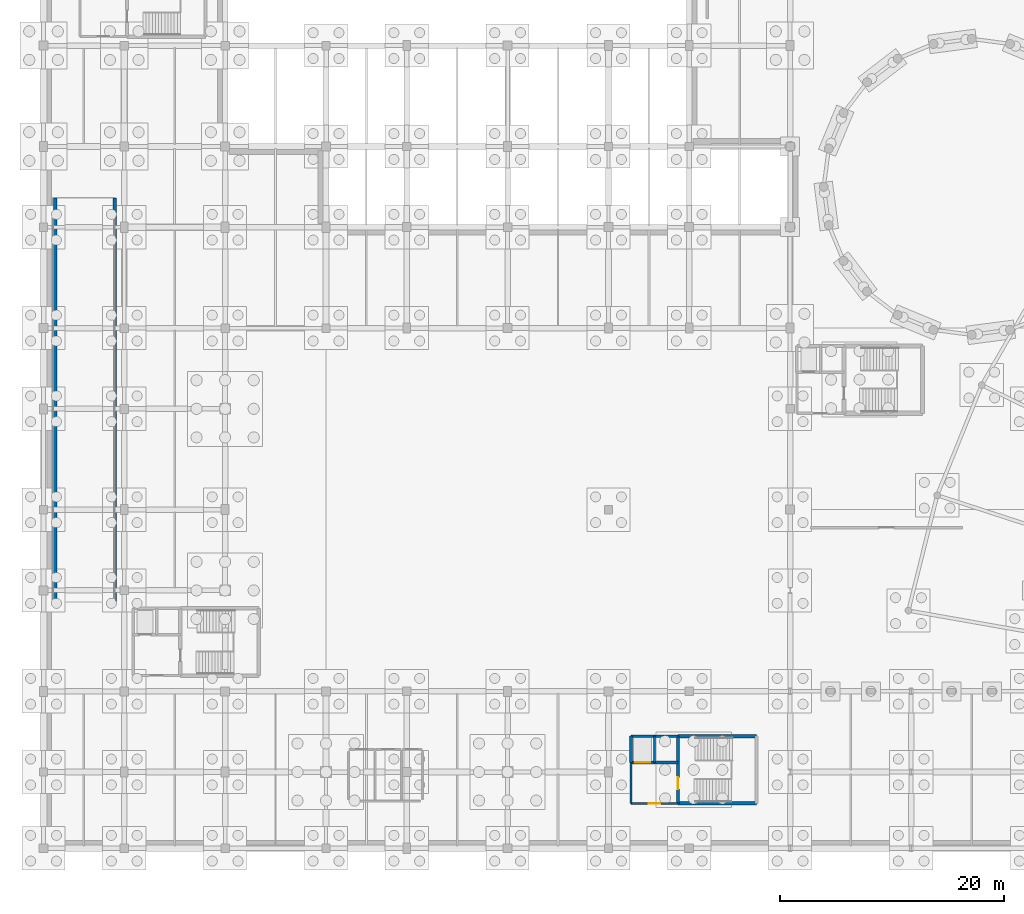
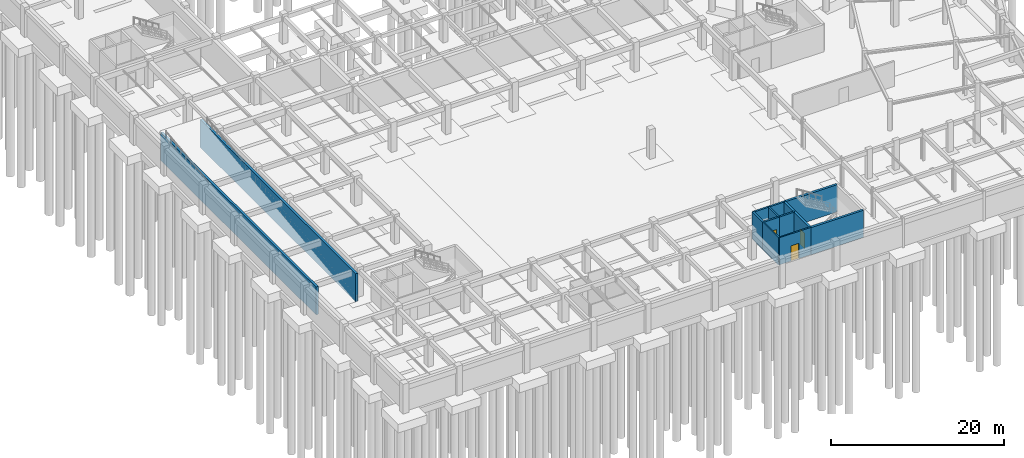
# One storey, part 31 of 42: 12 walls, 3 doors, 3 openings.
"""IFC4 building model written with IfcOpenShell, lengths in metres."""

import ifcopenshell
import ifcopenshell.guid

model = None  # the IFC model being written
_history = None  # IfcOwnerHistory: only IFC2X3 demands one
_inside = {}  # id of a spatial element -> (the spatial element, [elements in it])
_under = {}  # id of a project, library or spatial element -> (it, [spatial elements below it])
_declared = {}  # id of a project -> (the project, [libraries it declares])
_typed = {}  # id of a type object -> (the type object, [elements of that type])
_made_of = {}  # id of a material, layer set ... -> (it, [elements and type objects made of it])


def new_model(schema):
    """Start an empty IFC model of exactly this schema.

    Asked for "IFC4X3", IfcOpenShell would pick the latest addendum, in which some entities
    have other attributes; the version numbers below select the first issue.
    IFC2X3 requires an IfcOwnerHistory on every rooted entity: one is made here for all.
    """
    global model, _history
    if schema == "IFC4X3":
        model = ifcopenshell.file(schema_version=(4, 3, 0, 0))
    else:
        model = ifcopenshell.file(schema=schema)
    _inside.clear()
    _under.clear()
    _declared.clear()
    _typed.clear()
    _made_of.clear()
    _history = None
    if model.schema == "IFC2X3":
        org = make("IfcOrganization", Name="unknown")
        user = make(
            "IfcPersonAndOrganization",
            ThePerson=make("IfcPerson", FamilyName="unknown"),
            TheOrganization=org,
        )
        app = make(
            "IfcApplication",
            ApplicationDeveloper=org,
            Version="unknown",
            ApplicationFullName="unknown",
            ApplicationIdentifier="unknown",
        )
        _history = make(
            "IfcOwnerHistory",
            OwningUser=user,
            OwningApplication=app,
            ChangeAction="ADDED",
            CreationDate=0,
        )
    return model


def make(cls, **values):
    """One entity of the class cls with the attributes given. An attribute that is None is left unset."""
    return model.create_entity(
        cls, **{name: value for name, value in values.items() if value is not None}
    )


def rooted(cls, **values):
    """An entity with a GlobalId (a new one), such as an element, a storey or a relation."""
    return make(cls, GlobalId=ifcopenshell.guid.new(), OwnerHistory=_history, **values)


def si_unit(unit_type, name, prefix=None):
    """IfcSIUnit, for example si_unit("LENGTHUNIT", "METRE", prefix="MILLI")."""
    return make("IfcSIUnit", UnitType=unit_type, Prefix=prefix, Name=name)


def assignment(units):
    """IfcUnitAssignment: the units of a project."""
    return None if units is None else make("IfcUnitAssignment", Units=units)


def point(xyz):
    """IfcCartesianPoint."""
    return None if xyz is None else make("IfcCartesianPoint", Coordinates=xyz)


def direction(xyz):
    """IfcDirection."""
    return None if xyz is None else make("IfcDirection", DirectionRatios=xyz)


def frame(location, z_axis=None, x_axis=None):
    """IfcAxis2Placement3D, a coordinate frame: its origin and axes. An axis left out is left unset."""
    return make(
        "IfcAxis2Placement3D",
        Location=point(location),
        Axis=direction(z_axis),
        RefDirection=direction(x_axis),
    )


def frame_2d(location, x_axis=None):
    """IfcAxis2Placement2D, a coordinate frame in the plane: its origin and x axis."""
    return make(
        "IfcAxis2Placement2D", Location=point(location), RefDirection=direction(x_axis)
    )


def origin():
    """The frame at (0, 0, 0) with its axes left unset."""
    return frame((0.0, 0.0, 0.0))


def place(relative_to, where):
    """IfcLocalPlacement: puts the frame where relative to a parent placement (None: the world)."""
    return make(
        "IfcLocalPlacement", PlacementRelTo=relative_to, RelativePlacement=where
    )


def context(
    kind, dimensions, precision=None, world=None, true_north=None, identifier=None
):
    """IfcGeometricRepresentationContext, for example the 3D "Model" context."""
    return make(
        "IfcGeometricRepresentationContext",
        ContextIdentifier=identifier,
        ContextType=kind,
        CoordinateSpaceDimension=dimensions,
        Precision=precision,
        WorldCoordinateSystem=world,
        TrueNorth=true_north,
    )


def subcontext(parent, identifier, kind, view, scale=None):
    """IfcGeometricRepresentationSubContext, for example "Body" below "Model"."""
    return make(
        "IfcGeometricRepresentationSubContext",
        ContextIdentifier=identifier,
        ContextType=kind,
        ParentContext=parent,
        TargetScale=scale,
        TargetView=view,
    )


def project(units=None, contexts=None):
    """IfcProject with its units and contexts."""
    return rooted(
        "IfcProject",
        Name="project",
        RepresentationContexts=contexts,
        UnitsInContext=assignment(units),
    )


def spatial(cls, under=None, at=None, **own):
    """A site, building, storey or space (cls), placed at a placement, below another one or the project."""
    s = rooted(cls, ObjectPlacement=at, **own)
    if under is not None:
        _under.setdefault(under.id(), (under, []))[1].append(s)
    return s


def profile(cls, at=None, kind="AREA", **sizes):
    """A parametric profile (cls). Its sizes go by their IFC names, for example OverallWidth=200.0."""
    return make(cls, ProfileType=kind, Position=at, **sizes)


def rectangle(**sizes):
    """IfcRectangleProfileDef."""
    return profile("IfcRectangleProfileDef", **sizes)


def extrude(swept, where, along, depth):
    """IfcExtrudedAreaSolid: the profile swept, set in the frame where, extruded along a direction by depth."""
    return make(
        "IfcExtrudedAreaSolid",
        SweptArea=swept,
        Position=where,
        ExtrudedDirection=direction(along),
        Depth=depth,
    )


def shape(context_of_items, identifier, shape_type, items):
    """IfcShapeRepresentation: the items that make up one representation, for example the "Body"."""
    return make(
        "IfcShapeRepresentation",
        ContextOfItems=context_of_items,
        RepresentationIdentifier=identifier,
        RepresentationType=shape_type,
        Items=items,
    )


def material(Name=None, Category=None):
    """IfcMaterial."""
    return make("IfcMaterial", Name=Name, Category=Category)


def layer(
    of_material, thickness, ventilated=None, Name=None, Category=None, Priority=None
):
    """IfcMaterialLayer: one layer of a wall or slab, of a material (None: an air gap)."""
    return make(
        "IfcMaterialLayer",
        Material=of_material,
        LayerThickness=thickness,
        IsVentilated=ventilated,
        Name=Name,
        Category=Category,
        Priority=Priority,
    )


def layer_set(layers, Name=None):
    """IfcMaterialLayerSet."""
    return make("IfcMaterialLayerSet", MaterialLayers=layers, LayerSetName=Name)


def made_of(thing, what):
    """Note that an element or type object is made of a material, layer set ...; save() writes the relation."""
    if what is not None:
        _made_of.setdefault(what.id(), (what, []))[1].append(thing)
    return thing


def type_object(cls, material=None, **own):
    """A type object (cls), such as IfcWallType, which elements share."""
    return made_of(rooted(cls, **own), material)


def element(
    cls,
    number,
    at=None,
    inside=None,
    cuts=None,
    type_object=None,
    material=None,
    context=None,
    identifier="Body",
    shape_type=None,
    held_by="IfcProductDefinitionShape",
    body=None,
    shapes=None,
    **own,
):
    """One element of the class cls, such as IfcWall. Its Tag is "e" and its number.

    at: its placement. inside: the storey or other place that contains it. cuts: it is an
    opening in that element (IfcRelVoidsElement). A single representation is given by context,
    identifier, shape_type and body (its items); several are given by shapes. held_by: the class
    of the entity that holds the representations. save() writes the other relations.
    """
    e = rooted(cls, Tag="e%d" % number, ObjectPlacement=at, **own)
    if body is not None:
        shapes = [shape(context, identifier, shape_type, body)]
    if shapes is not None:
        e.Representation = make(held_by, Representations=shapes)
    if inside is not None:
        _inside.setdefault(inside.id(), (inside, []))[1].append(e)
    if cuts is not None:
        rooted(
            "IfcRelVoidsElement", RelatingBuildingElement=cuts, RelatedOpeningElement=e
        )
    if type_object is not None:
        _typed.setdefault(type_object.id(), (type_object, []))[1].append(e)
    return made_of(e, material)


def fill(opening, filler):
    """IfcRelFillsElement: the door or window that sits in an opening."""
    return rooted(
        "IfcRelFillsElement",
        RelatingOpeningElement=opening,
        RelatedBuildingElement=filler,
    )


def aggregate(whole, parts):
    """IfcRelAggregates: a whole, such as a stair, and the parts it consists of."""
    return rooted("IfcRelAggregates", RelatingObject=whole, RelatedObjects=parts)


def save(model, path):
    """Write the relations noted so far, then the file.

    IfcRelAggregates (storeys below a building ...), IfcRelContainedInSpatialStructure (elements
    in a storey), IfcRelDefinesByType, IfcRelAssociatesMaterial and IfcRelDeclares: one each for
    every whole, place, type object, material and project.
    """
    for whole, parts in _under.values():
        aggregate(whole, parts)
    for where, things in _inside.values():
        rooted(
            "IfcRelContainedInSpatialStructure",
            RelatedElements=things,
            RelatingStructure=where,
        )
    for kind, things in _typed.values():
        rooted("IfcRelDefinesByType", RelatedObjects=things, RelatingType=kind)
    for what, things in _made_of.values():
        rooted("IfcRelAssociatesMaterial", RelatedObjects=things, RelatingMaterial=what)
    for by, libraries in _declared.values():
        rooted("IfcRelDeclares", RelatingContext=by, RelatedDefinitions=libraries)
    model.write(path)


model = new_model("IFC4")

# Units and contexts
model_context = context("Model", 3, precision=1e-05, world=origin(), true_north=direction((0.0, 1.0)))
body_context = subcontext(model_context, "Body", "Model", "MODEL_VIEW")
ifc_project = project(units=[si_unit("LENGTHUNIT", "METRE"), si_unit("AREAUNIT", "SQUARE_METRE"), si_unit("VOLUMEUNIT", "CUBIC_METRE"), si_unit("PLANEANGLEUNIT", "RADIAN"), si_unit("MASSUNIT", "GRAM", prefix="KILO")], contexts=[model_context])

# Site, building, storey
site_placement = place(None, origin())
site = spatial("IfcSite", under=ifc_project, at=site_placement, CompositionType="ELEMENT")
building_placement = place(site_placement, origin())
building = spatial("IfcBuilding", under=site, at=building_placement, Name="Clarverna Civic Hall", CompositionType="ELEMENT")
storey_placement = place(building_placement, frame((0.0, 0.0, -4.199951171875)))
storey = spatial("IfcBuildingStorey", under=building, at=storey_placement, Name="B01", CompositionType="ELEMENT", Elevation=-4.199951171875)

# Wall
ifc_material_1 = material(Name="Acoustic Gypsum Plasterboard on Twin Frame", Category="gypsum")
ifc_layer_1 = layer(ifc_material_1, 0.18994140625)
ifc_layer_set_1 = layer_set([ifc_layer_1], Name="Acoustic Gypsum Plasterboard on Twin Frame")
wall_type_1 = type_object("IfcWallType", Name="PW-06", PredefinedType="PARTITIONING", material=ifc_layer_set_1)
wall_1_placement = place(storey_placement, frame((52.39990234375, 4.0, 0.0), z_axis=(0.0, 0.0, 1.0), x_axis=(0.0, 1.0, 0.0)))
element("IfcWall", 1, at=wall_1_placement, inside=storey, type_object=wall_type_1, Name="PW-06-069", PredefinedType="PARTITIONING", context=body_context, shape_type="SweptSolid", body=[
    extrude(rectangle(XDim=3.64990234375, YDim=0.18994140625, at=frame_2d((1.824951171875, 0.0))), origin(), (0.0, 0.0, 1.0), 3.83984375),
])

# Wall, opening, door
wall_2_placement = place(storey_placement, frame((52.39990234375, 4.0, 0.0), z_axis=(0.0, 0.0, 1.0), x_axis=(1.0, 0.0, 0.0)))
wall_2 = element("IfcWall", 2, at=wall_2_placement, inside=storey, type_object=wall_type_1, Name="PW-06-070", PredefinedType="PARTITIONING", context=body_context, shape_type="SweptSolid", body=[
    extrude(rectangle(XDim=4.2001953125, YDim=0.18994140625, at=frame_2d((2.10009765625, 0.0))), origin(), (0.0, 0.0, 1.0), 3.83984375),
])
opening_1_placement = place(wall_2_placement, frame((1.574951171875, 0.0, 0.0)))
opening_1 = element("IfcOpeningElement", 3, at=opening_1_placement, cuts=wall_2, Name="Opening FD-02", PredefinedType="OPENING", context=body_context, shape_type="SweptSolid", body=[
    extrude(rectangle(XDim=1.050048828125, YDim=2.14990234375, at=frame_2d((0.52490234375, 1.074951171875))), frame((0.0, 0.10498046875, 0.0), z_axis=(0.0, -1.0, 0.0), x_axis=(1.0, 0.0, 0.0)), (0.0, 0.0, 1.0), 0.2099609375),
])
ifc_material_2 = material(Name="Acoustic Timber-Faced Fire Door", Category="wood")
door_type_1 = type_object("IfcDoorType", Name="FD-02", OperationType="NOTDEFINED", PredefinedType="DOOR", material=ifc_material_2)
door_1_placement = place(opening_1_placement, origin())
door_1 = element("IfcDoor", 4, at=door_1_placement, inside=storey, type_object=door_type_1, Name="FD-02-065", OperationType="SINGLE_SWING_RIGHT", OverallHeight=2.14990234375, OverallWidth=1.050048828125, PredefinedType="DOOR", context=body_context, shape_type="SweptSolid", body=[
    extrude(rectangle(XDim=1.050048828125, YDim=2.14990234375, at=frame_2d((0.52490234375, 1.074951171875))), frame((0.0, 0.02490234375, 0.0), z_axis=(0.0, -1.0, 0.0), x_axis=(1.0, 0.0, 0.0)), (0.0, 0.0, 1.0), 0.050048828125),
])
fill(opening_1, door_1)

ifc_material_3 = material(Name="Concrete C35/45", Category="concrete")
ifc_layer_2 = layer(ifc_material_3, 0.300048828125)
ifc_layer_set_2 = layer_set([ifc_layer_2], Name="Concrete C35/45")
wall_type_2 = type_object("IfcWallType", Name="SW-03", PredefinedType="SHEAR", material=ifc_layer_set_2)
wall_3_placement = place(storey_placement, frame((56.60009765625, 4.0, 0.0), z_axis=(0.0, 0.0, 1.0), x_axis=(0.0, 1.0, 0.0)))
wall_3 = element("IfcWall", 5, at=wall_3_placement, inside=storey, type_object=wall_type_2, Name="SW-03-055", PredefinedType="SHEAR", context=body_context, shape_type="SweptSolid", body=[
    extrude(rectangle(XDim=6.0, YDim=0.300048828125, at=frame_2d((3.0, 0.0))), origin(), (0.0, 0.0, 1.0), 3.83984375),
])
opening_2_placement = place(wall_3_placement, frame((1.27490234375, 0.0, 0.0)))
opening_2 = element("IfcOpeningElement", 6, at=opening_2_placement, cuts=wall_3, Name="Opening FD-02", PredefinedType="OPENING", context=body_context, shape_type="SweptSolid", body=[
    extrude(rectangle(XDim=1.050048828125, YDim=2.14990234375, at=frame_2d((0.52490234375, 1.074951171875))), frame((0.0, 0.159912109375, 0.0), z_axis=(0.0, -1.0, 0.0), x_axis=(1.0, 0.0, 0.0)), (0.0, 0.0, 1.0), 0.320068359375),
])
door_2_placement = place(opening_2_placement, origin())
door_2 = element("IfcDoor", 7, at=door_2_placement, inside=storey, type_object=door_type_1, Name="FD-02-064", OperationType="SINGLE_SWING_LEFT", OverallHeight=2.14990234375, OverallWidth=1.050048828125, PredefinedType="DOOR", context=body_context, shape_type="SweptSolid", body=[
    extrude(rectangle(XDim=1.050048828125, YDim=2.14990234375, at=frame_2d((0.52490234375, 1.074951171875))), frame((0.0, 0.02490234375, 0.0), z_axis=(0.0, -1.0, 0.0), x_axis=(1.0, 0.0, 0.0)), (0.0, 0.0, 1.0), 0.050048828125),
])
fill(opening_2, door_2)

# Walls
for number, where, z_axis, x_axis, name in (
    (8, (56.60009765625, 4.0, 0.0), (0.0, 0.0, 1.0), (1.0, 0.0, 0.0), "SW-03-057"),
    (9, (56.60009765625, 10.0, 0.0), (0.0, 0.0, 1.0), (1.0, 0.0, 0.0), "SW-03-058"),
):
    element("IfcWall", number, at=place(storey_placement, frame(where, z_axis=z_axis, x_axis=x_axis)), inside=storey, type_object=wall_type_2, Name=name, PredefinedType="SHEAR", context=body_context, shape_type="SweptSolid", body=[
        extrude(rectangle(XDim=7.0, YDim=0.300048828125, at=frame_2d((3.5, 0.0))), origin(), (0.0, 0.0, 1.0), 3.83984375),
    ])
wall_4_placement = place(storey_placement, frame((52.39990234375, 10.0, 0.0), z_axis=(0.0, 0.0, 1.0), x_axis=(1.0, 0.0, 0.0)))
element("IfcWall", 10, at=wall_4_placement, inside=storey, type_object=wall_type_2, Name="SW-03-059", PredefinedType="SHEAR", context=body_context, shape_type="SweptSolid", body=[
    extrude(rectangle(XDim=4.2001953125, YDim=0.239990234375, at=frame_2d((2.10009765625, 0.0))), origin(), (0.0, 0.0, 1.0), 3.83984375),
])
wall_5_placement = place(storey_placement, frame((52.39990234375, 7.64990234375, 0.0), z_axis=(0.0, 0.0, 1.0), x_axis=(0.0, 1.0, 0.0)))
element("IfcWall", 11, at=wall_5_placement, inside=storey, type_object=wall_type_2, Name="SW-03-060", PredefinedType="SHEAR", context=body_context, shape_type="SweptSolid", body=[
    extrude(rectangle(XDim=2.35009765625, YDim=0.239990234375, at=frame_2d((1.175048828125, 0.0))), origin(), (0.0, 0.0, 1.0), 3.83984375),
])
wall_6_placement = place(storey_placement, frame((54.5, 7.64990234375, 0.0), z_axis=(0.0, 0.0, 1.0), x_axis=(0.0, 1.0, 0.0)))
element("IfcWall", 12, at=wall_6_placement, inside=storey, type_object=wall_type_2, Name="SW-03-061", PredefinedType="SHEAR", context=body_context, shape_type="SweptSolid", body=[
    extrude(rectangle(XDim=2.35009765625, YDim=0.199951171875, at=frame_2d((1.175048828125, 0.0))), origin(), (0.0, 0.0, 1.0), 3.83984375),
])

# Wall, opening, door
wall_7_placement = place(storey_placement, frame((52.39990234375, 7.64990234375, 0.0), z_axis=(0.0, 0.0, 1.0), x_axis=(1.0, 0.0, 0.0)))
wall_7 = element("IfcWall", 13, at=wall_7_placement, inside=storey, type_object=wall_type_2, Name="SW-03-062", PredefinedType="SHEAR", context=body_context, shape_type="SweptSolid", body=[
    extrude(rectangle(XDim=2.10009765625, YDim=0.239990234375, at=frame_2d((1.050048828125, 0.0))), origin(), (0.0, 0.0, 1.0), 3.83984375),
])
opening_3_placement = place(wall_7_placement, frame((0.375, 0.0, 0.0)))
opening_3 = element("IfcOpeningElement", 14, at=opening_3_placement, cuts=wall_7, Name="Opening LD-02", PredefinedType="OPENING", context=body_context, shape_type="SweptSolid", body=[
    extrude(rectangle(XDim=1.35009765625, YDim=2.199951171875, at=frame_2d((0.675048828125, 1.10009765625))), frame((0.0, 0.1298828125, 0.0), z_axis=(0.0, -1.0, 0.0), x_axis=(1.0, 0.0, 0.0)), (0.0, 0.0, 1.0), 0.260009765625),
])
ifc_material_4 = material(Name="Brushed Bronze Stainless Lift Landing Door")
door_type_2 = type_object("IfcDoorType", Name="LD-02", OperationType="SLIDING_TO_RIGHT", PredefinedType="DOOR", material=ifc_material_4)
door_3_placement = place(opening_3_placement, origin())
door_3 = element("IfcDoor", 15, at=door_3_placement, inside=storey, type_object=door_type_2, Name="LD-02-007", OperationType="SLIDING_TO_RIGHT", OverallHeight=2.199951171875, OverallWidth=1.35009765625, PredefinedType="DOOR", context=body_context, shape_type="SweptSolid", body=[
    extrude(rectangle(XDim=1.35009765625, YDim=2.199951171875, at=frame_2d((0.675048828125, 1.10009765625))), frame((0.0, 0.02490234375, 0.0), z_axis=(0.0, -1.0, 0.0), x_axis=(1.0, 0.0, 0.0)), (0.0, 0.0, 1.0), 0.050048828125),
])
fill(opening_3, door_3)

# Walls
wall_8_placement = place(storey_placement, frame((54.5, 7.64990234375, 0.0), z_axis=(0.0, 0.0, 1.0), x_axis=(1.0, 0.0, 0.0)))
element("IfcWall", 16, at=wall_8_placement, inside=storey, type_object=wall_type_2, Name="SW-03-063", PredefinedType="SHEAR", context=body_context, shape_type="SweptSolid", body=[
    extrude(rectangle(XDim=2.10009765625, YDim=0.239990234375, at=frame_2d((1.050048828125, 0.0))), origin(), (0.0, 0.0, 1.0), 3.83984375),
])
for number, where, z_axis, x_axis, name in (
    (17, (1.050048828125, 22.0, 0.0), (0.0, 0.0, 1.0), (0.0, 1.0, 0.0), "SW-03-307"),
    (18, (6.35009765625, 22.0, 0.0), (0.0, 0.0, 1.0), (0.0, 1.0, 0.0), "SW-03-308"),
):
    element("IfcWall", number, at=place(storey_placement, frame(where, z_axis=z_axis, x_axis=x_axis)), inside=storey, type_object=wall_type_2, Name=name, PredefinedType="SHEAR", context=body_context, shape_type="SweptSolid", body=[
        extrude(rectangle(XDim=36.0, YDim=0.300048828125, at=frame_2d((18.0, 0.0))), origin(), (0.0, 0.0, 1.0), 3.949951171875),
    ])

save(model, "model.ifc")
